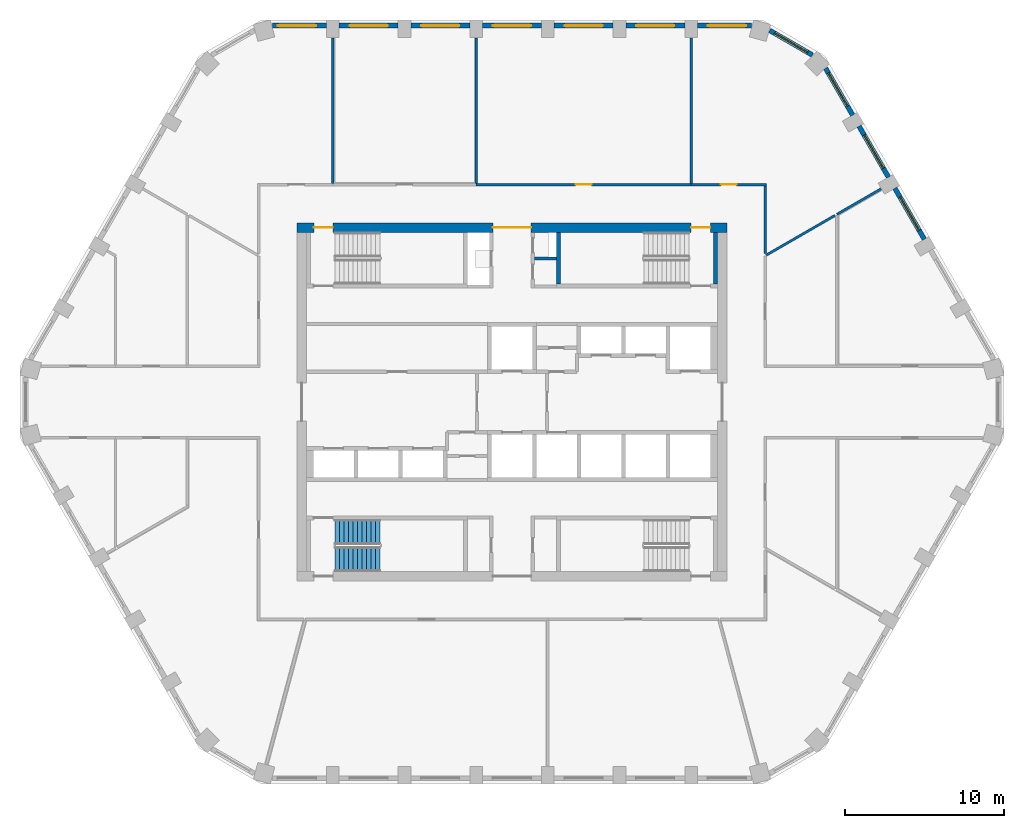
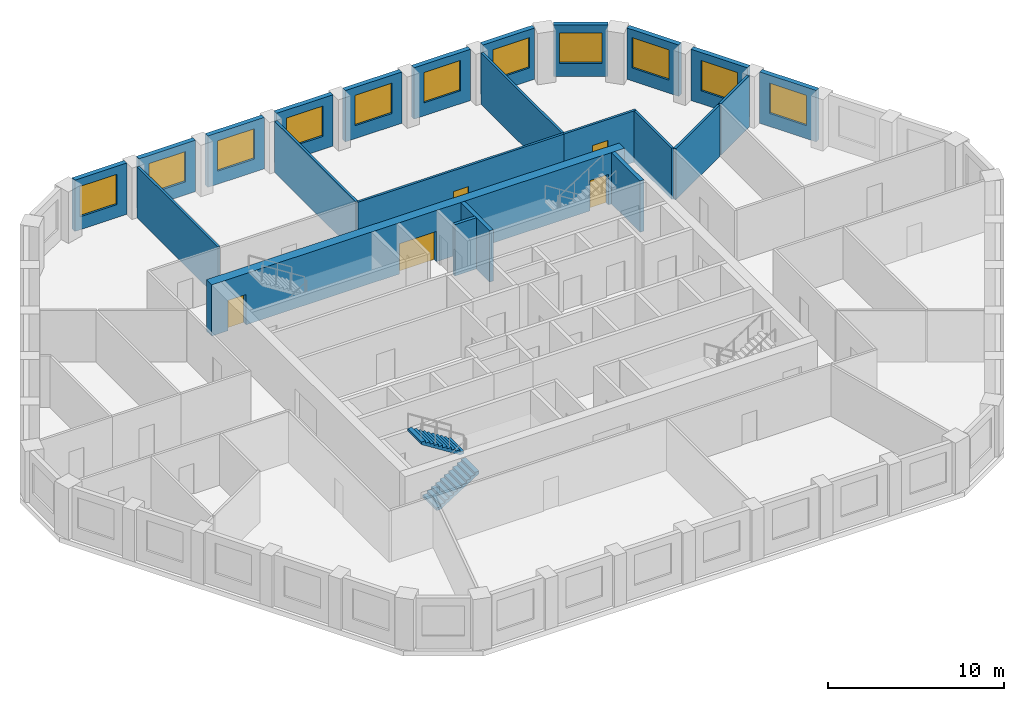
# One storey, part 6 of 11: 23 walls, 11 windows, 5 doors, 2 stair flights, 16 openings, 1 element without a shape of its own.
"""IFC4 building model written with IfcOpenShell, lengths in metres."""

from ifc_helpers import new_model, si_unit, direction, frame, frame_2d, origin, place, context, subcontext, project, spatial, polyline, rectangle, outline, extrude, material, layer, layer_set, type_object, element, fill, aggregate, save


model = new_model("IFC4")

# Units and contexts
model_context = context("Model", 3, precision=1e-05, world=origin(), true_north=direction((0.0, 1.0)))
body_context = subcontext(model_context, "Body", "Model", "MODEL_VIEW")
ifc_project = project(units=[si_unit("LENGTHUNIT", "METRE"), si_unit("AREAUNIT", "SQUARE_METRE"), si_unit("VOLUMEUNIT", "CUBIC_METRE"), si_unit("PLANEANGLEUNIT", "RADIAN"), si_unit("MASSUNIT", "GRAM", prefix="KILO")], contexts=[model_context])

# Site, building, storey
site_placement = place(None, origin())
site = spatial("IfcSite", under=ifc_project, at=site_placement, CompositionType="ELEMENT")
building_placement = place(site_placement, origin())
building = spatial("IfcBuilding", under=site, at=building_placement, Name="Dhurran Vertical Campus", CompositionType="ELEMENT")
storey_placement = place(building_placement, frame((0.0, 0.0, 211.199951171875)))
storey = spatial("IfcBuildingStorey", under=building, at=storey_placement, Name="L52", CompositionType="ELEMENT", Elevation=211.199951171875)

# Wall, opening, window
ifc_material_1 = material(Name="Precast concrete C50/60", Category="concrete")
ifc_layer_1 = layer(ifc_material_1, 0.300048828125)
ifc_layer_set_1 = layer_set([ifc_layer_1], Name="Precast concrete C50/60")
wall_type_1 = type_object("IfcWallType", Name="Precast spandrel wall 300", PredefinedType="SOLIDWALL", material=ifc_layer_set_1)
wall_1_placement = place(storey_placement, frame((25.893798828125, 10.216064453125, 0.0), z_axis=(0.0, 0.0, 1.0), x_axis=(-0.500029062817, 0.866008623709, 0.0)))
wall_1 = element("IfcWall", 1, at=wall_1_placement, inside=storey, type_object=wall_type_1, Name="EW1 L52.16", PredefinedType="SOLIDWALL", context=body_context, shape_type="SweptSolid", body=[
    extrude(rectangle(XDim=3.698974609375, YDim=0.300048828125, at=frame_2d((1.849609375, 0.0))), origin(), (0.0, 0.0, 1.0), 3.550048828125),
])
opening_1_placement = place(wall_1_placement, frame((0.6494140625, 0.0, 0.89990234375)))
opening_1 = element("IfcOpeningElement", 2, at=opening_1_placement, cuts=wall_1, Name="Opening WT1", PredefinedType="OPENING", context=body_context, shape_type="SweptSolid", body=[
    extrude(rectangle(XDim=2.39990234375, YDim=2.10009765625, at=frame_2d((1.199951171875, 1.050048828125))), frame((0.0, 0.159912109375, 0.0), z_axis=(0.0, -1.0, 0.0), x_axis=(1.0, 0.0, 0.0)), (0.0, 0.0, 1.0), 0.320068359375),
])
ifc_material_2 = material(Name="Aluminium frame with solar-control glass", Category="aluminium")
window_type = type_object("IfcWindowType", Name="Punched window 2400 x 2100", PartitioningType="SINGLE_PANEL", PredefinedType="WINDOW", material=ifc_material_2)
window_1_placement = place(opening_1_placement, origin())
window_1 = element("IfcWindow", 3, at=window_1_placement, inside=storey, type_object=window_type, Name="WT1 L52.16", OverallHeight=2.10009765625, OverallWidth=2.39990234375, PartitioningType="SINGLE_PANEL", PredefinedType="WINDOW", context=body_context, shape_type="SweptSolid", body=[
    extrude(rectangle(XDim=2.39990234375, YDim=2.10009765625, at=frame_2d((1.199951171875, 1.050048828125))), frame((0.0, 0.030029296875, 0.0), z_axis=(0.0, -1.0, 0.0), x_axis=(1.0, 0.0, 0.0)), (0.0, 0.0, 1.0), 0.06005859375),
])
fill(opening_1, window_1)

wall_2_placement = place(storey_placement, frame((23.643798828125, 14.11328125, 0.0), z_axis=(0.0, 0.0, 1.0), x_axis=(-0.500029062817, 0.866008623709, 0.0)))
wall_2 = element("IfcWall", 4, at=wall_2_placement, inside=storey, type_object=wall_type_1, Name="EW1 L52.17", PredefinedType="SOLIDWALL", context=body_context, shape_type="SweptSolid", body=[
    extrude(rectangle(XDim=3.698974609375, YDim=0.300048828125, at=frame_2d((1.849609375, 0.0))), origin(), (0.0, 0.0, 1.0), 3.550048828125),
])
opening_2_placement = place(wall_2_placement, frame((0.6494140625, 0.0, 0.89990234375)))
opening_2 = element("IfcOpeningElement", 5, at=opening_2_placement, cuts=wall_2, Name="Opening WT1", PredefinedType="OPENING", context=body_context, shape_type="SweptSolid", body=[
    extrude(rectangle(XDim=2.39990234375, YDim=2.10009765625, at=frame_2d((1.199951171875, 1.050048828125))), frame((0.0, 0.159912109375, 0.0), z_axis=(0.0, -1.0, 0.0), x_axis=(1.0, 0.0, 0.0)), (0.0, 0.0, 1.0), 0.320068359375),
])
window_2_placement = place(opening_2_placement, origin())
window_2 = element("IfcWindow", 6, at=window_2_placement, inside=storey, type_object=window_type, Name="WT1 L52.17", OverallHeight=2.10009765625, OverallWidth=2.39990234375, PartitioningType="SINGLE_PANEL", PredefinedType="WINDOW", context=body_context, shape_type="SweptSolid", body=[
    extrude(rectangle(XDim=2.39990234375, YDim=2.10009765625, at=frame_2d((1.199951171875, 1.050048828125))), frame((0.0, 0.030029296875, 0.0), z_axis=(0.0, -1.0, 0.0), x_axis=(1.0, 0.0, 0.0)), (0.0, 0.0, 1.0), 0.06005859375),
])
fill(opening_2, window_2)

wall_3_placement = place(storey_placement, frame((21.393798828125, 18.01025390625, 0.0), z_axis=(0.0, 0.0, 1.0), x_axis=(-0.500012868213, 0.866017974191, 0.0)))
wall_3 = element("IfcWall", 7, at=wall_3_placement, inside=storey, type_object=wall_type_1, Name="EW1 L52.18", PredefinedType="SOLIDWALL", context=body_context, shape_type="SweptSolid", body=[
    extrude(rectangle(XDim=3.39599609375, YDim=0.300048828125, at=frame_2d((1.697998046875, 0.0))), origin(), (0.0, 0.0, 1.0), 3.550048828125),
])
opening_3_placement = place(wall_3_placement, frame((0.6494140625, 0.0, 0.89990234375)))
opening_3 = element("IfcOpeningElement", 8, at=opening_3_placement, cuts=wall_3, Name="Opening WT1", PredefinedType="OPENING", context=body_context, shape_type="SweptSolid", body=[
    extrude(rectangle(XDim=2.39990234375, YDim=2.10009765625, at=frame_2d((1.199951171875, 1.050048828125))), frame((0.0, 0.159912109375, 0.0), z_axis=(0.0, -1.0, 0.0), x_axis=(1.0, 0.0, 0.0)), (0.0, 0.0, 1.0), 0.320068359375),
])
window_3_placement = place(opening_3_placement, origin())
window_3 = element("IfcWindow", 9, at=window_3_placement, inside=storey, type_object=window_type, Name="WT1 L52.18", OverallHeight=2.10009765625, OverallWidth=2.39990234375, PartitioningType="SINGLE_PANEL", PredefinedType="WINDOW", context=body_context, shape_type="SweptSolid", body=[
    extrude(rectangle(XDim=2.39990234375, YDim=2.10009765625, at=frame_2d((1.199951171875, 1.050048828125))), frame((0.0, 0.030029296875, 0.0), z_axis=(0.0, -1.0, 0.0), x_axis=(1.0, 0.0, 0.0)), (0.0, 0.0, 1.0), 0.06005859375),
])
fill(opening_3, window_3)

wall_4_placement = place(storey_placement, frame((18.86279296875, 21.7841796875, 0.0), z_axis=(0.0, 0.0, 1.0), x_axis=(-0.865994975416, 0.500052699777, 0.0)))
wall_4 = element("IfcWall", 10, at=wall_4_placement, inside=storey, type_object=wall_type_1, Name="EW1 L52.19", PredefinedType="SOLIDWALL", context=body_context, shape_type="SweptSolid", body=[
    extrude(rectangle(XDim=3.093017578125, YDim=0.300048828125, at=frame_2d((1.54638671875, 0.0))), origin(), (0.0, 0.0, 1.0), 3.550048828125),
])
opening_4_placement = place(wall_4_placement, frame((0.34619140625, 0.0, 0.89990234375)))
opening_4 = element("IfcOpeningElement", 11, at=opening_4_placement, cuts=wall_4, Name="Opening WT1", PredefinedType="OPENING", context=body_context, shape_type="SweptSolid", body=[
    extrude(rectangle(XDim=2.39990234375, YDim=2.10009765625, at=frame_2d((1.199951171875, 1.050048828125))), frame((0.0, 0.159912109375, 0.0), z_axis=(0.0, -1.0, 0.0), x_axis=(1.0, 0.0, 0.0)), (0.0, 0.0, 1.0), 0.320068359375),
])
window_4_placement = place(opening_4_placement, origin())
window_4 = element("IfcWindow", 12, at=window_4_placement, inside=storey, type_object=window_type, Name="WT1 L52.19", OverallHeight=2.10009765625, OverallWidth=2.39990234375, PartitioningType="SINGLE_PANEL", PredefinedType="WINDOW", context=body_context, shape_type="SweptSolid", body=[
    extrude(rectangle(XDim=2.39990234375, YDim=2.10009765625, at=frame_2d((1.199951171875, 1.050048828125))), frame((0.0, 0.030029296875, 0.0), z_axis=(0.0, -1.0, 0.0), x_axis=(1.0, 0.0, 0.0)), (0.0, 0.0, 1.0), 0.06005859375),
])
fill(opening_4, window_4)

wall_5_placement = place(storey_placement, frame((15.04638671875, 23.635498046875, 0.0), z_axis=(0.0, 0.0, 1.0), x_axis=(-1.0, 0.0, 0.0)))
wall_5 = element("IfcWall", 13, at=wall_5_placement, inside=storey, type_object=wall_type_1, Name="EW1 L52.20", PredefinedType="SOLIDWALL", context=body_context, shape_type="SweptSolid", body=[
    extrude(rectangle(XDim=3.39599609375, YDim=0.300048828125, at=frame_2d((1.697998046875, 0.0))), origin(), (0.0, 0.0, 1.0), 3.550048828125),
])
opening_5_placement = place(wall_5_placement, frame((0.34619140625, 0.0, 0.89990234375)))
opening_5 = element("IfcOpeningElement", 14, at=opening_5_placement, cuts=wall_5, Name="Opening WT1", PredefinedType="OPENING", context=body_context, shape_type="SweptSolid", body=[
    extrude(rectangle(XDim=2.39990234375, YDim=2.10009765625, at=frame_2d((1.199951171875, 1.050048828125))), frame((0.0, 0.159912109375, 0.0), z_axis=(0.0, -1.0, 0.0), x_axis=(1.0, 0.0, 0.0)), (0.0, 0.0, 1.0), 0.320068359375),
])
window_5_placement = place(opening_5_placement, origin())
window_5 = element("IfcWindow", 15, at=window_5_placement, inside=storey, type_object=window_type, Name="WT1 L52.20", OverallHeight=2.10009765625, OverallWidth=2.39990234375, PartitioningType="SINGLE_PANEL", PredefinedType="WINDOW", context=body_context, shape_type="SweptSolid", body=[
    extrude(rectangle(XDim=2.39990234375, YDim=2.10009765625, at=frame_2d((1.199951171875, 1.050048828125))), frame((0.0, 0.030029296875, 0.0), z_axis=(0.0, -1.0, 0.0), x_axis=(1.0, 0.0, 0.0)), (0.0, 0.0, 1.0), 0.06005859375),
])
fill(opening_5, window_5)

wall_6_placement = place(storey_placement, frame((10.849609375, 23.635498046875, 0.0), z_axis=(0.0, 0.0, 1.0), x_axis=(-1.0, 0.0, 0.0)))
wall_6 = element("IfcWall", 16, at=wall_6_placement, inside=storey, type_object=wall_type_1, Name="EW1 L52.21", PredefinedType="SOLIDWALL", context=body_context, shape_type="SweptSolid", body=[
    extrude(rectangle(XDim=3.69921875, YDim=0.300048828125, at=frame_2d((1.849609375, 0.0))), origin(), (0.0, 0.0, 1.0), 3.550048828125),
])
opening_6_placement = place(wall_6_placement, frame((0.6494140625, 0.0, 0.89990234375)))
opening_6 = element("IfcOpeningElement", 17, at=opening_6_placement, cuts=wall_6, Name="Opening WT1", PredefinedType="OPENING", context=body_context, shape_type="SweptSolid", body=[
    extrude(rectangle(XDim=2.39990234375, YDim=2.10009765625, at=frame_2d((1.199951171875, 1.050048828125))), frame((0.0, 0.159912109375, 0.0), z_axis=(0.0, -1.0, 0.0), x_axis=(1.0, 0.0, 0.0)), (0.0, 0.0, 1.0), 0.320068359375),
])
window_6_placement = place(opening_6_placement, origin())
window_6 = element("IfcWindow", 18, at=window_6_placement, inside=storey, type_object=window_type, Name="WT1 L52.21", OverallHeight=2.10009765625, OverallWidth=2.39990234375, PartitioningType="SINGLE_PANEL", PredefinedType="WINDOW", context=body_context, shape_type="SweptSolid", body=[
    extrude(rectangle(XDim=2.39990234375, YDim=2.10009765625, at=frame_2d((1.199951171875, 1.050048828125))), frame((0.0, 0.030029296875, 0.0), z_axis=(0.0, -1.0, 0.0), x_axis=(1.0, 0.0, 0.0)), (0.0, 0.0, 1.0), 0.06005859375),
])
fill(opening_6, window_6)

wall_7_placement = place(storey_placement, frame((6.349609375, 23.635498046875, 0.0), z_axis=(0.0, 0.0, 1.0), x_axis=(-1.0, 0.0, 0.0)))
wall_7 = element("IfcWall", 19, at=wall_7_placement, inside=storey, type_object=wall_type_1, Name="EW1 L52.22", PredefinedType="SOLIDWALL", context=body_context, shape_type="SweptSolid", body=[
    extrude(rectangle(XDim=3.69921875, YDim=0.300048828125, at=frame_2d((1.849609375, 0.0))), origin(), (0.0, 0.0, 1.0), 3.550048828125),
])
opening_7_placement = place(wall_7_placement, frame((0.6494140625, 0.0, 0.89990234375)))
opening_7 = element("IfcOpeningElement", 20, at=opening_7_placement, cuts=wall_7, Name="Opening WT1", PredefinedType="OPENING", context=body_context, shape_type="SweptSolid", body=[
    extrude(rectangle(XDim=2.39990234375, YDim=2.10009765625, at=frame_2d((1.199951171875, 1.050048828125))), frame((0.0, 0.159912109375, 0.0), z_axis=(0.0, -1.0, 0.0), x_axis=(1.0, 0.0, 0.0)), (0.0, 0.0, 1.0), 0.320068359375),
])
window_7_placement = place(opening_7_placement, origin())
window_7 = element("IfcWindow", 21, at=window_7_placement, inside=storey, type_object=window_type, Name="WT1 L52.22", OverallHeight=2.10009765625, OverallWidth=2.39990234375, PartitioningType="SINGLE_PANEL", PredefinedType="WINDOW", context=body_context, shape_type="SweptSolid", body=[
    extrude(rectangle(XDim=2.39990234375, YDim=2.10009765625, at=frame_2d((1.199951171875, 1.050048828125))), frame((0.0, 0.030029296875, 0.0), z_axis=(0.0, -1.0, 0.0), x_axis=(1.0, 0.0, 0.0)), (0.0, 0.0, 1.0), 0.06005859375),
])
fill(opening_7, window_7)

wall_8_placement = place(storey_placement, frame((1.849609375, 23.635498046875, 0.0), z_axis=(0.0, 0.0, 1.0), x_axis=(-1.0, 0.0, 0.0)))
wall_8 = element("IfcWall", 22, at=wall_8_placement, inside=storey, type_object=wall_type_1, Name="EW1 L52.23", PredefinedType="SOLIDWALL", context=body_context, shape_type="SweptSolid", body=[
    extrude(rectangle(XDim=3.69921875, YDim=0.300048828125, at=frame_2d((1.849609375, 0.0))), origin(), (0.0, 0.0, 1.0), 3.550048828125),
])
opening_8_placement = place(wall_8_placement, frame((0.6494140625, 0.0, 0.89990234375)))
opening_8 = element("IfcOpeningElement", 23, at=opening_8_placement, cuts=wall_8, Name="Opening WT1", PredefinedType="OPENING", context=body_context, shape_type="SweptSolid", body=[
    extrude(rectangle(XDim=2.39990234375, YDim=2.10009765625, at=frame_2d((1.199951171875, 1.050048828125))), frame((0.0, 0.159912109375, 0.0), z_axis=(0.0, -1.0, 0.0), x_axis=(1.0, 0.0, 0.0)), (0.0, 0.0, 1.0), 0.320068359375),
])
window_8_placement = place(opening_8_placement, origin())
window_8 = element("IfcWindow", 24, at=window_8_placement, inside=storey, type_object=window_type, Name="WT1 L52.23", OverallHeight=2.10009765625, OverallWidth=2.39990234375, PartitioningType="SINGLE_PANEL", PredefinedType="WINDOW", context=body_context, shape_type="SweptSolid", body=[
    extrude(rectangle(XDim=2.39990234375, YDim=2.10009765625, at=frame_2d((1.199951171875, 1.050048828125))), frame((0.0, 0.030029296875, 0.0), z_axis=(0.0, -1.0, 0.0), x_axis=(1.0, 0.0, 0.0)), (0.0, 0.0, 1.0), 0.06005859375),
])
fill(opening_8, window_8)

wall_9_placement = place(storey_placement, frame((-2.650390625, 23.635498046875, 0.0), z_axis=(0.0, 0.0, 1.0), x_axis=(-1.0, 0.0, 0.0)))
wall_9 = element("IfcWall", 25, at=wall_9_placement, inside=storey, type_object=wall_type_1, Name="EW1 L52.24", PredefinedType="SOLIDWALL", context=body_context, shape_type="SweptSolid", body=[
    extrude(rectangle(XDim=3.69921875, YDim=0.300048828125, at=frame_2d((1.849609375, 0.0))), origin(), (0.0, 0.0, 1.0), 3.550048828125),
])
opening_9_placement = place(wall_9_placement, frame((0.6494140625, 0.0, 0.89990234375)))
opening_9 = element("IfcOpeningElement", 26, at=opening_9_placement, cuts=wall_9, Name="Opening WT1", PredefinedType="OPENING", context=body_context, shape_type="SweptSolid", body=[
    extrude(rectangle(XDim=2.39990234375, YDim=2.10009765625, at=frame_2d((1.199951171875, 1.050048828125))), frame((0.0, 0.159912109375, 0.0), z_axis=(0.0, -1.0, 0.0), x_axis=(1.0, 0.0, 0.0)), (0.0, 0.0, 1.0), 0.320068359375),
])
window_9_placement = place(opening_9_placement, origin())
window_9 = element("IfcWindow", 27, at=window_9_placement, inside=storey, type_object=window_type, Name="WT1 L52.24", OverallHeight=2.10009765625, OverallWidth=2.39990234375, PartitioningType="SINGLE_PANEL", PredefinedType="WINDOW", context=body_context, shape_type="SweptSolid", body=[
    extrude(rectangle(XDim=2.39990234375, YDim=2.10009765625, at=frame_2d((1.199951171875, 1.050048828125))), frame((0.0, 0.030029296875, 0.0), z_axis=(0.0, -1.0, 0.0), x_axis=(1.0, 0.0, 0.0)), (0.0, 0.0, 1.0), 0.06005859375),
])
fill(opening_9, window_9)

wall_10_placement = place(storey_placement, frame((-7.150390625, 23.635498046875, 0.0), z_axis=(0.0, 0.0, 1.0), x_axis=(-1.0, 0.0, 0.0)))
wall_10 = element("IfcWall", 28, at=wall_10_placement, inside=storey, type_object=wall_type_1, Name="EW1 L52.25", PredefinedType="SOLIDWALL", context=body_context, shape_type="SweptSolid", body=[
    extrude(rectangle(XDim=3.69921875, YDim=0.300048828125, at=frame_2d((1.849609375, 0.0))), origin(), (0.0, 0.0, 1.0), 3.550048828125),
])
opening_10_placement = place(wall_10_placement, frame((0.6494140625, 0.0, 0.89990234375)))
opening_10 = element("IfcOpeningElement", 29, at=opening_10_placement, cuts=wall_10, Name="Opening WT1", PredefinedType="OPENING", context=body_context, shape_type="SweptSolid", body=[
    extrude(rectangle(XDim=2.39990234375, YDim=2.10009765625, at=frame_2d((1.199951171875, 1.050048828125))), frame((0.0, 0.159912109375, 0.0), z_axis=(0.0, -1.0, 0.0), x_axis=(1.0, 0.0, 0.0)), (0.0, 0.0, 1.0), 0.320068359375),
])
window_10_placement = place(opening_10_placement, origin())
window_10 = element("IfcWindow", 30, at=window_10_placement, inside=storey, type_object=window_type, Name="WT1 L52.25", OverallHeight=2.10009765625, OverallWidth=2.39990234375, PartitioningType="SINGLE_PANEL", PredefinedType="WINDOW", context=body_context, shape_type="SweptSolid", body=[
    extrude(rectangle(XDim=2.39990234375, YDim=2.10009765625, at=frame_2d((1.199951171875, 1.050048828125))), frame((0.0, 0.030029296875, 0.0), z_axis=(0.0, -1.0, 0.0), x_axis=(1.0, 0.0, 0.0)), (0.0, 0.0, 1.0), 0.06005859375),
])
fill(opening_10, window_10)

wall_11_placement = place(storey_placement, frame((-11.650390625, 23.635498046875, 0.0), z_axis=(0.0, 0.0, 1.0), x_axis=(-1.0, 0.0, 0.0)))
wall_11 = element("IfcWall", 31, at=wall_11_placement, inside=storey, type_object=wall_type_1, Name="EW1 L52.26", PredefinedType="SOLIDWALL", context=body_context, shape_type="SweptSolid", body=[
    extrude(rectangle(XDim=3.39599609375, YDim=0.300048828125, at=frame_2d((1.697998046875, 0.0))), origin(), (0.0, 0.0, 1.0), 3.550048828125),
])
opening_11_placement = place(wall_11_placement, frame((0.6494140625, 0.0, 0.89990234375)))
opening_11 = element("IfcOpeningElement", 32, at=opening_11_placement, cuts=wall_11, Name="Opening WT1", PredefinedType="OPENING", context=body_context, shape_type="SweptSolid", body=[
    extrude(rectangle(XDim=2.39990234375, YDim=2.10009765625, at=frame_2d((1.199951171875, 1.050048828125))), frame((0.0, 0.159912109375, 0.0), z_axis=(0.0, -1.0, 0.0), x_axis=(1.0, 0.0, 0.0)), (0.0, 0.0, 1.0), 0.320068359375),
])
window_11_placement = place(opening_11_placement, origin())
window_11 = element("IfcWindow", 33, at=window_11_placement, inside=storey, type_object=window_type, Name="WT1 L52.26", OverallHeight=2.10009765625, OverallWidth=2.39990234375, PartitioningType="SINGLE_PANEL", PredefinedType="WINDOW", context=body_context, shape_type="SweptSolid", body=[
    extrude(rectangle(XDim=2.39990234375, YDim=2.10009765625, at=frame_2d((1.199951171875, 1.050048828125))), frame((0.0, 0.030029296875, 0.0), z_axis=(0.0, -1.0, 0.0), x_axis=(1.0, 0.0, 0.0)), (0.0, 0.0, 1.0), 0.06005859375),
])
fill(opening_11, window_11)

# Wall, openings, doors
ifc_material_3 = material(Name="Concrete C50/60", Category="concrete")
ifc_layer_2 = layer(ifc_material_3, 0.60009765625)
ifc_layer_set_2 = layer_set([ifc_layer_2], Name="Concrete C50/60")
wall_type_2 = type_object("IfcWallType", Name="co-CORE-WALL-C2-600", PredefinedType="SHEAR", material=ifc_layer_set_2)
wall_12_placement = place(storey_placement, frame((-13.5, 10.949951171875, 0.0), z_axis=(0.0, 0.0, 1.0), x_axis=(1.0, 0.0, 0.0)))
wall_12 = element("IfcWall", 34, at=wall_12_placement, inside=storey, type_object=wall_type_2, Name="Core wall N L52", PredefinedType="SHEAR", context=body_context, shape_type="SweptSolid", body=[
    extrude(rectangle(XDim=27.0, YDim=0.60009765625, at=frame_2d((13.5, 0.0))), origin(), (0.0, 0.0, 1.0), 3.550048828125),
])
opening_12_placement = place(wall_12_placement, frame((12.300048828125, 0.0, 0.0)))
opening_12 = element("IfcOpeningElement", 35, at=opening_12_placement, cuts=wall_12, Name="Opening CV1", PredefinedType="OPENING", context=body_context, shape_type="SweptSolid", body=[
    extrude(rectangle(XDim=2.39990234375, YDim=2.10009765625, at=frame_2d((1.199951171875, 1.050048828125))), frame((0.0, 0.31005859375, 0.0), z_axis=(0.0, -1.0, 0.0), x_axis=(1.0, 0.0, 0.0)), (0.0, 0.0, 1.0), 0.6201171875),
])
opening_13_placement = place(wall_12_placement, frame((1.050048828125, 0.0, 0.0)))
opening_13 = element("IfcOpeningElement", 36, at=opening_13_placement, cuts=wall_12, Name="Opening XD1", PredefinedType="OPENING", context=body_context, shape_type="SweptSolid", body=[
    extrude(rectangle(XDim=1.199951171875, YDim=2.10009765625, at=frame_2d((0.60009765625, 1.050048828125))), frame((0.0, 0.31005859375, 0.0), z_axis=(0.0, -1.0, 0.0), x_axis=(1.0, 0.0, 0.0)), (0.0, 0.0, 1.0), 0.6201171875),
])
opening_14_placement = place(wall_12_placement, frame((24.75, 0.0, 0.0)))
opening_14 = element("IfcOpeningElement", 37, at=opening_14_placement, cuts=wall_12, Name="Opening XD2", PredefinedType="OPENING", context=body_context, shape_type="SweptSolid", body=[
    extrude(rectangle(XDim=1.199951171875, YDim=2.10009765625, at=frame_2d((0.60009765625, 1.050048828125))), frame((0.0, 0.31005859375, 0.0), z_axis=(0.0, -1.0, 0.0), x_axis=(1.0, 0.0, 0.0)), (0.0, 0.0, 1.0), 0.6201171875),
])
ifc_material_4 = material(Name="Fire-rated glazed door set")
door_type_1 = type_object("IfcDoorType", Name="co-D-LOBBY 2400x2100", OperationType="DOUBLE_DOOR_DOUBLE_SWING", PredefinedType="DOOR", material=ifc_material_4)
door_1_placement = place(opening_12_placement, origin())
door_1 = element("IfcDoor", 38, at=door_1_placement, inside=storey, type_object=door_type_1, Name="Core vestibule door N L52", OperationType="DOUBLE_DOOR_DOUBLE_SWING", OverallHeight=2.10009765625, OverallWidth=2.39990234375, PredefinedType="DOOR", context=body_context, shape_type="SweptSolid", body=[
    extrude(rectangle(XDim=2.39990234375, YDim=2.10009765625, at=frame_2d((1.199951171875, 1.050048828125))), frame((0.0, 0.02490234375, 0.0), z_axis=(0.0, -1.0, 0.0), x_axis=(1.0, 0.0, 0.0)), (0.0, 0.0, 1.0), 0.050048828125),
])
fill(opening_12, door_1)
ifc_material_5 = material(Name="Fire-rated steel door set", Category="steel")
door_type_2 = type_object("IfcDoorType", Name="co-D-STAIR-EXIT 1200x2100", OperationType="SINGLE_SWING_RIGHT", PredefinedType="DOOR", material=ifc_material_5)
door_2_placement = place(opening_13_placement, origin())
door_2 = element("IfcDoor", 39, at=door_2_placement, inside=storey, type_object=door_type_2, Name="Stair ST1 exit door L52", OperationType="SINGLE_SWING_RIGHT", OverallHeight=2.10009765625, OverallWidth=1.199951171875, PredefinedType="DOOR", context=body_context, shape_type="SweptSolid", body=[
    extrude(rectangle(XDim=1.199951171875, YDim=2.10009765625, at=frame_2d((0.60009765625, 1.050048828125))), frame((0.0, 0.02490234375, 0.0), z_axis=(0.0, -1.0, 0.0), x_axis=(1.0, 0.0, 0.0)), (0.0, 0.0, 1.0), 0.050048828125),
])
fill(opening_13, door_2)
door_3_placement = place(opening_14_placement, origin())
door_3 = element("IfcDoor", 40, at=door_3_placement, inside=storey, type_object=door_type_2, Name="Stair ST2 exit door L52", OperationType="SINGLE_SWING_RIGHT", OverallHeight=2.10009765625, OverallWidth=1.199951171875, PredefinedType="DOOR", context=body_context, shape_type="SweptSolid", body=[
    extrude(rectangle(XDim=1.199951171875, YDim=2.10009765625, at=frame_2d((0.60009765625, 1.050048828125))), frame((0.0, 0.02490234375, 0.0), z_axis=(0.0, -1.0, 0.0), x_axis=(1.0, 0.0, 0.0)), (0.0, 0.0, 1.0), 0.050048828125),
])
fill(opening_14, door_3)

# Walls
ifc_material_6 = material(Name="Fire-rated masonry blockwork", Category="masonry")
ifc_layer_3 = layer(ifc_material_6, 0.199951171875)
ifc_layer_set_3 = layer_set([ifc_layer_3], Name="Fire-rated masonry blockwork")
wall_type_3 = type_object("IfcWallType", Name="co-FIRE-PARTITION-200", PredefinedType="PARTITIONING", material=ifc_layer_set_3)
wall_13_placement = place(storey_placement, frame((1.39990234375, 9.0, 0.0), z_axis=(0.0, 0.0, 1.0), x_axis=(1.0, 0.0, 0.0)))
element("IfcWall", 41, at=wall_13_placement, inside=storey, type_object=wall_type_3, Name="Core partition sl-NE-cut0 L52", PredefinedType="PARTITIONING", context=body_context, shape_type="SweptSolid", body=[
    extrude(rectangle(XDim=1.400146484375, YDim=0.199951171875, at=frame_2d((0.7001953125, 0.0))), origin(), (0.0, 0.0, 1.0), 3.550048828125),
])
ifc_material_7 = material(Name="Concrete C40/50", Category="concrete")
ifc_layer_4 = layer(ifc_material_7, 0.25)
ifc_layer_set_4 = layer_set([ifc_layer_4], Name="Concrete C40/50")
wall_type_4 = type_object("IfcWallType", Name="co-STAIR-WALL-250", PredefinedType="SHEAR", material=ifc_layer_set_4)
for number, where, z_axis, x_axis, name in (
    (42, (2.925048828125, 7.39990234375, 0.0), (0.0, 0.0, 1.0), (0.0, 1.0, 0.0), "Stair ST2 enclosure wall L52"),
    (43, (12.77490234375, 7.39990234375, 0.0), (0.0, 0.0, 1.0), (0.0, 1.0, 0.0), "Stair ST2 enclosure wall L52"),
):
    element("IfcWall", number, at=place(storey_placement, frame(where, z_axis=z_axis, x_axis=x_axis)), inside=storey, type_object=wall_type_4, Name=name, PredefinedType="SHEAR", context=body_context, shape_type="SweptSolid", body=[
        extrude(rectangle(XDim=3.25, YDim=0.25, at=frame_2d((1.625, 0.0))), origin(), (0.0, 0.0, 1.0), 3.550048828125),
    ])

# Wall, opening, door
ifc_material_8 = material(Name="Gypsum board corridor wall on steel studs", Category="steel")
ifc_layer_5 = layer(ifc_material_8, 0.14990234375)
ifc_layer_set_5 = layer_set([ifc_layer_5], Name="Gypsum board corridor wall on steel studs")
wall_type_5 = type_object("IfcWallType", Name="fl-CW-150 corridor wall", PredefinedType="PARTITIONING", material=ifc_layer_set_5)
wall_14_placement = place(storey_placement, frame((11.25, 13.64990234375, 0.0), z_axis=(0.0, 0.0, 1.0), x_axis=(-1.0, 0.0, 0.0)))
wall_14 = element("IfcWall", 44, at=wall_14_placement, inside=storey, type_object=wall_type_5, Name="Partition 52-26", PredefinedType="PARTITIONING", context=body_context, shape_type="SweptSolid", body=[
    extrude(rectangle(XDim=13.5, YDim=0.14990234375, at=frame_2d((6.75, 0.0))), origin(), (0.0, 0.0, 1.0), 3.550048828125),
])
opening_15_placement = place(wall_14_placement, frame((6.25, 0.0, 0.0)))
opening_15 = element("IfcOpeningElement", 45, at=opening_15_placement, cuts=wall_14, Name="Opening T15.10", PredefinedType="OPENING", context=body_context, shape_type="SweptSolid", body=[
    extrude(rectangle(XDim=1.0, YDim=2.10009765625, at=frame_2d((0.5, 1.050048828125))), frame((0.0, 0.0849609375, 0.0), z_axis=(0.0, -1.0, 0.0), x_axis=(1.0, 0.0, 0.0)), (0.0, 0.0, 1.0), 0.169921875),
])
ifc_material_9 = material(Name="Solid-core timber door set, fire-rated", Category="wood")
door_type_3 = type_object("IfcDoorType", Name="fl-D-1000x2100", OperationType="SINGLE_SWING_LEFT", PredefinedType="DOOR", material=ifc_material_9)
door_4_placement = place(opening_15_placement, origin())
door_4 = element("IfcDoor", 46, at=door_4_placement, inside=storey, type_object=door_type_3, Name="Door 52.10", OperationType="SINGLE_SWING_LEFT", OverallHeight=2.10009765625, OverallWidth=1.0, PredefinedType="DOOR", context=body_context, shape_type="SweptSolid", body=[
    extrude(rectangle(XDim=1.0, YDim=2.10009765625, at=frame_2d((0.5, 1.050048828125))), frame((0.0, 0.02490234375, 0.0), z_axis=(0.0, -1.0, 0.0), x_axis=(1.0, 0.0, 0.0)), (0.0, 0.0, 1.0), 0.050048828125),
])
fill(opening_15, door_4)

wall_15_placement = place(storey_placement, frame((15.97509765625, 13.64990234375, 0.0), z_axis=(0.0, 0.0, 1.0), x_axis=(-1.0, 0.0, 0.0)))
wall_15 = element("IfcWall", 47, at=wall_15_placement, inside=storey, type_object=wall_type_5, Name="Partition 52-30", PredefinedType="PARTITIONING", context=body_context, shape_type="SweptSolid", body=[
    extrude(rectangle(XDim=4.72509765625, YDim=0.14990234375, at=frame_2d((2.362548828125, 0.0))), origin(), (0.0, 0.0, 1.0), 3.550048828125),
])
opening_16_placement = place(wall_15_placement, frame((1.862548828125, 0.0, 0.0)))
opening_16 = element("IfcOpeningElement", 48, at=opening_16_placement, cuts=wall_15, Name="Opening T15.12", PredefinedType="OPENING", context=body_context, shape_type="SweptSolid", body=[
    extrude(rectangle(XDim=1.0, YDim=2.10009765625, at=frame_2d((0.5, 1.050048828125))), frame((0.0, 0.0849609375, 0.0), z_axis=(0.0, -1.0, 0.0), x_axis=(1.0, 0.0, 0.0)), (0.0, 0.0, 1.0), 0.169921875),
])
door_5_placement = place(opening_16_placement, origin())
door_5 = element("IfcDoor", 49, at=door_5_placement, inside=storey, type_object=door_type_3, Name="Door 52.12", OperationType="SINGLE_SWING_LEFT", OverallHeight=2.10009765625, OverallWidth=1.0, PredefinedType="DOOR", context=body_context, shape_type="SweptSolid", body=[
    extrude(rectangle(XDim=1.0, YDim=2.10009765625, at=frame_2d((0.5, 1.050048828125))), frame((0.0, 0.02490234375, 0.0), z_axis=(0.0, -1.0, 0.0), x_axis=(1.0, 0.0, 0.0)), (0.0, 0.0, 1.0), 0.050048828125),
])
fill(opening_16, door_5)

# Walls
wall_16_placement = place(storey_placement, frame((15.89990234375, 9.31005859375, 0.0), z_axis=(0.0, 0.0, 1.0), x_axis=(0.0, 1.0, 0.0)))
element("IfcWall", 50, at=wall_16_placement, inside=storey, type_object=wall_type_5, Name="Partition 52-39", PredefinedType="PARTITIONING", context=body_context, shape_type="SweptSolid", body=[
    extrude(rectangle(XDim=4.264892578125, YDim=0.14990234375, at=frame_2d((2.13232421875, 0.0))), origin(), (0.0, 0.0, 1.0), 3.550048828125),
])
ifc_material_10 = material(Name="Gypsum board partition on steel studs", Category="steel")
ifc_layer_6 = layer(ifc_material_10, 0.14990234375)
ifc_layer_set_6 = layer_set([ifc_layer_6], Name="Gypsum board partition on steel studs")
wall_type_6 = type_object("IfcWallType", Name="fl-PW-150 fixed partition", PredefinedType="PARTITIONING", material=ifc_layer_set_6)
for number, where, z_axis, x_axis, name in (
    (51, (-11.25, 22.865478515625, 0.0), (0.0, 0.0, 1.0), (0.0, -1.0, 0.0), "Partition 52-23"),
    (52, (-2.25, 22.865478515625, 0.0), (0.0, 0.0, 1.0), (0.0, -1.0, 0.0), "Partition 52-25"),
    (53, (11.25, 22.865478515625, 0.0), (0.0, 0.0, 1.0), (0.0, -1.0, 0.0), "Partition 52-29"),
):
    element("IfcWall", number, at=place(storey_placement, frame(where, z_axis=z_axis, x_axis=x_axis)), inside=storey, type_object=wall_type_6, Name=name, PredefinedType="PARTITIONING", context=body_context, shape_type="SweptSolid", body=[
        extrude(rectangle(XDim=9.140380859375, YDim=0.14990234375, at=frame_2d((4.5703125, 0.0))), origin(), (0.0, 0.0, 1.0), 3.550048828125),
    ])
wall_17_placement = place(storey_placement, frame((20.287353515625, 11.712890625, 0.0), z_axis=(0.0, 0.0, 1.0), x_axis=(-0.866034070548, -0.499984988425, 0.0)))
element("IfcWall", 54, at=wall_17_placement, inside=storey, type_object=wall_type_6, Name="Partition 52-40", PredefinedType="PARTITIONING", context=body_context, shape_type="SweptSolid", body=[
    extrude(rectangle(XDim=4.990966796875, YDim=0.14990234375, at=frame_2d((2.49560546875, 0.0))), origin(), (0.0, 0.0, 1.0), 3.550048828125),
])
wall_18_placement = place(storey_placement, frame((23.17724609375, 13.381103515625, 0.0), z_axis=(0.0, 0.0, 1.0), x_axis=(-0.866089241828, -0.499889412961, 0.0)))
element("IfcWall", 55, at=wall_18_placement, inside=storey, type_object=wall_type_6, Name="Partition 52-46", PredefinedType="PARTITIONING", context=body_context, shape_type="SweptSolid", body=[
    extrude(rectangle(XDim=3.206787109375, YDim=0.14990234375, at=frame_2d((1.603515625, 0.0))), origin(), (0.0, 0.0, 1.0), 3.550048828125),
])

# Stair, stair flights
ifc_material_11 = material(Name="Concrete C40/50", Category="concrete")
stair_type = type_object("IfcStairType", Name="co-ST-CORE", PredefinedType="HALF_TURN_STAIR", material=ifc_material_11)
stair_placement = place(storey_placement, origin())
stair = element("IfcStair", 56, at=stair_placement, inside=storey, type_object=stair_type, Name="L52 Protected exit stair ST3", PredefinedType="HALF_TURN_STAIR")
ifc_material_12 = material(Name="Concrete C40/50", Category="concrete")
stair_flight_type = type_object("IfcStairFlightType", Name="co-SFL-RC", PredefinedType="STRAIGHT", material=ifc_material_12)
stair_flight_1_placement = place(storey_placement, frame((-11.10009765625, -9.875, 0.0), z_axis=(0.0, 0.0, 1.0), x_axis=(1.0, 0.0, 0.0)))
stair_flight_1 = element("IfcStairFlight", 57, at=stair_flight_1_placement, type_object=stair_flight_type, Name="ST3 flight 1", NumberOfRisers=11, NumberOfTreads=10, PredefinedType="STRAIGHT", RiserHeight=0.177272727, TreadLength=0.28, context=body_context, shape_type="SweptSolid", body=[
    extrude(outline(polyline([(0.0, 0.0), (0.0, 0.17724609375), (0.280029296875, 0.17724609375), (0.280029296875, 0.3544921875), (0.56005859375, 0.3544921875), (0.56005859375, 0.53173828125), (0.840087890625, 0.53173828125), (0.840087890625, 0.708984375), (1.1201171875, 0.708984375), (1.1201171875, 0.886474609375), (1.39990234375, 0.886474609375), (1.39990234375, 1.063720703125), (1.679931640625, 1.063720703125), (1.679931640625, 1.240966796875), (1.9599609375, 1.240966796875), (1.9599609375, 1.418212890625), (2.239990234375, 1.418212890625), (2.239990234375, 1.595458984375), (2.52001953125, 1.595458984375), (2.52001953125, 1.772705078125), (2.800048828125, 1.772705078125), (2.800048828125, 1.949951171875), (2.800048828125, 1.59521484375), (0.2802734375, 0.0), (0.0, 0.0)])), frame((0.0, 0.77490234375, 0.0), z_axis=(0.0, -1.0, 0.0), x_axis=(1.0, 0.0, 0.0)), (0.0, 0.0, 1.0), 1.550048828125),
])
stair_flight_2_placement = place(storey_placement, frame((-8.300048828125, -8.175048828125, 1.949951171875), z_axis=(0.0, 0.0, 1.0), x_axis=(-1.0, 0.0, 0.0)))
stair_flight_2 = element("IfcStairFlight", 58, at=stair_flight_2_placement, type_object=stair_flight_type, Name="ST3 flight 2", NumberOfRisers=11, NumberOfTreads=10, PredefinedType="STRAIGHT", RiserHeight=0.177272727, TreadLength=0.28, context=body_context, shape_type="SweptSolid", body=[
    extrude(outline(polyline([(0.0, 0.0), (0.0, 0.17724609375), (0.280029296875, 0.17724609375), (0.280029296875, 0.3544921875), (0.56005859375, 0.3544921875), (0.56005859375, 0.53173828125), (0.840087890625, 0.53173828125), (0.840087890625, 0.708984375), (1.1201171875, 0.708984375), (1.1201171875, 0.886474609375), (1.39990234375, 0.886474609375), (1.39990234375, 1.063720703125), (1.679931640625, 1.063720703125), (1.679931640625, 1.240966796875), (1.9599609375, 1.240966796875), (1.9599609375, 1.418212890625), (2.239990234375, 1.418212890625), (2.239990234375, 1.595458984375), (2.52001953125, 1.595458984375), (2.52001953125, 1.772705078125), (2.800048828125, 1.772705078125), (2.800048828125, 1.949951171875), (2.800048828125, 1.59521484375), (0.2802734375, 0.0), (0.0, 0.0)])), frame((0.0, 0.77490234375, 0.0), z_axis=(0.0, -1.0, 0.0), x_axis=(1.0, 0.0, 0.0)), (0.0, 0.0, 1.0), 1.550048828125),
])
aggregate(stair, [stair_flight_1, stair_flight_2])

save(model, "model.ifc")
